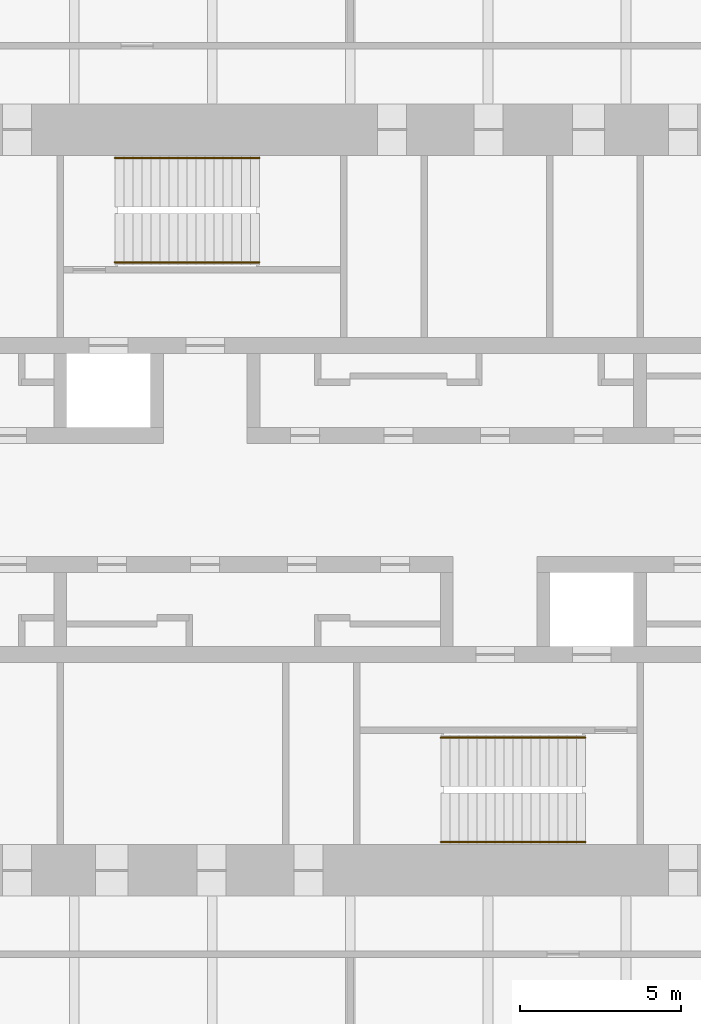
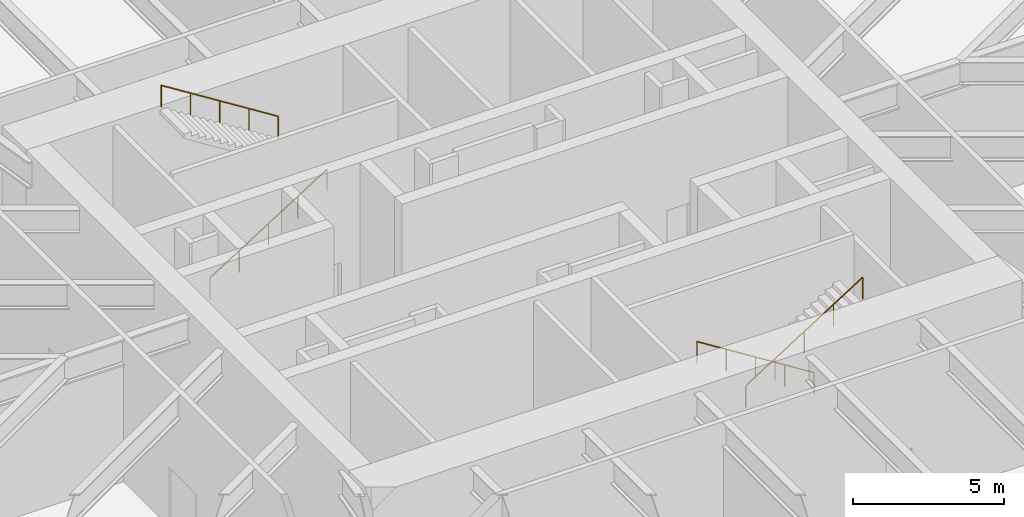
# One storey, part 16 of 16: 4 railings.
"""IFC4 building model written with IfcOpenShell, lengths in metres."""

from ifc_helpers import new_model, si_unit, direction, frame, origin, origin_2d, place, context, subcontext, project, spatial, circle, extrude, material, type_object, element, save


model = new_model("IFC4")

# Units and contexts
model_context = context("Model", 3, precision=1e-05, world=origin(), true_north=direction((0.0, 1.0)))
body_context = subcontext(model_context, "Body", "Model", "MODEL_VIEW")
ifc_project = project(units=[si_unit("LENGTHUNIT", "METRE"), si_unit("AREAUNIT", "SQUARE_METRE"), si_unit("VOLUMEUNIT", "CUBIC_METRE"), si_unit("PLANEANGLEUNIT", "RADIAN"), si_unit("MASSUNIT", "GRAM", prefix="KILO")], contexts=[model_context])

# Site, building, storey
site_placement = place(None, origin())
site = spatial("IfcSite", under=ifc_project, at=site_placement, CompositionType="ELEMENT")
building_placement = place(site_placement, origin())
building = spatial("IfcBuilding", under=site, at=building_placement, Name="Tarfa Lantern Tower", CompositionType="ELEMENT")
storey_placement = place(building_placement, frame((0.0, 0.0, 396.300048828125)))
storey = spatial("IfcBuildingStorey", under=building, at=storey_placement, Name="L90", CompositionType="ELEMENT", Elevation=396.300048828125)

# Railings
ifc_material = material(Name="Stainless steel", Category="steel")
railing_type = type_object("IfcRailingType", Name="HR1 HANDRAIL 900", PredefinedType="HANDRAIL", material=ifc_material)
railing_1_placement = place(storey_placement, frame((-7.300048828125, 7.3798828125, 0.176513671875)))
element("IfcRailing", 1, at=railing_1_placement, inside=storey, type_object=railing_type, Name="Handrail 1", PredefinedType="HANDRAIL", context=body_context, shape_type="SweptSolid", body=[
    extrude(circle(Radius=0.02392578125, at=origin_2d()), frame((0.0, 0.0, 0.8759765625), z_axis=(0.845997938375, 0.0, 0.533186166611), x_axis=(0.0, 1.0, 0.0)), (0.0, 0.0, 1.0), 5.29541015625),
    extrude(circle(Radius=0.02099609375, at=origin_2d()), frame((0.0, 0.0, 0.0), z_axis=(0.0, 0.0, 1.0), x_axis=(0.0, 1.0, 0.0)), (0.0, 0.0, 1.0), 0.851806640625),
    extrude(circle(Radius=0.02099609375, at=origin_2d()), frame((1.1201171875, 0.0, 0.705810546875), z_axis=(0.0, 0.0, 1.0), x_axis=(0.0, 1.0, 0.0)), (0.0, 0.0, 1.0), 0.851806640625),
    extrude(circle(Radius=0.02099609375, at=origin_2d()), frame((2.239990234375, 0.0, 1.41162109375), z_axis=(0.0, 0.0, 1.0), x_axis=(0.0, 1.0, 0.0)), (0.0, 0.0, 1.0), 0.851806640625),
    extrude(circle(Radius=0.02099609375, at=origin_2d()), frame((3.35986328125, 0.0, 2.11767578125), z_axis=(0.0, 0.0, 1.0), x_axis=(0.0, 1.0, 0.0)), (0.0, 0.0, 1.0), 0.851806640625),
    extrude(circle(Radius=0.02099609375, at=origin_2d()), frame((4.47998046875, 0.0, 2.823486328125), z_axis=(0.0, 0.0, 1.0), x_axis=(0.0, 1.0, 0.0)), (0.0, 0.0, 1.0), 0.851806640625),
])
for number, where, name in (
    (2, (-2.820068359375, 10.6201171875, 3.176513671875), "Handrail 2"),
    (3, (7.300048828125, -7.3798828125, 0.176513671875), "Handrail 1"),
):
    element("IfcRailing", number, at=place(storey_placement, frame(where)), inside=storey, type_object=railing_type, Name=name, PredefinedType="HANDRAIL", context=body_context, shape_type="SweptSolid", body=[
        extrude(circle(Radius=0.02392578125, at=origin_2d()), frame((0.0, 0.0, 0.8759765625), z_axis=(-0.845997938375, 0.0, 0.533186166611), x_axis=(0.0, -1.0, 0.0)), (0.0, 0.0, 1.0), 5.29541015625),
        extrude(circle(Radius=0.02099609375, at=origin_2d()), frame((0.0, 0.0, 0.0), z_axis=(0.0, 0.0, 1.0), x_axis=(0.0, -1.0, 0.0)), (0.0, 0.0, 1.0), 0.851806640625),
        extrude(circle(Radius=0.02099609375, at=origin_2d()), frame((-1.1201171875, 0.0, 0.705810546875), z_axis=(0.0, 0.0, 1.0), x_axis=(0.0, -1.0, 0.0)), (0.0, 0.0, 1.0), 0.851806640625),
        extrude(circle(Radius=0.02099609375, at=origin_2d()), frame((-2.239990234375, 0.0, 1.41162109375), z_axis=(0.0, 0.0, 1.0), x_axis=(0.0, -1.0, 0.0)), (0.0, 0.0, 1.0), 0.851806640625),
        extrude(circle(Radius=0.02099609375, at=origin_2d()), frame((-3.35986328125, 0.0, 2.11767578125), z_axis=(0.0, 0.0, 1.0), x_axis=(0.0, -1.0, 0.0)), (0.0, 0.0, 1.0), 0.851806640625),
        extrude(circle(Radius=0.02099609375, at=origin_2d()), frame((-4.47998046875, 0.0, 2.823486328125), z_axis=(0.0, 0.0, 1.0), x_axis=(0.0, -1.0, 0.0)), (0.0, 0.0, 1.0), 0.851806640625),
    ])
railing_2_placement = place(storey_placement, frame((2.820068359375, -10.6201171875, 3.176513671875)))
element("IfcRailing", 4, at=railing_2_placement, inside=storey, type_object=railing_type, Name="Handrail 2", PredefinedType="HANDRAIL", context=body_context, shape_type="SweptSolid", body=[
    extrude(circle(Radius=0.02392578125, at=origin_2d()), frame((0.0, 0.0, 0.8759765625), z_axis=(0.845997938375, 0.0, 0.533186166611), x_axis=(0.0, 1.0, 0.0)), (0.0, 0.0, 1.0), 5.29541015625),
    extrude(circle(Radius=0.02099609375, at=origin_2d()), frame((0.0, 0.0, 0.0), z_axis=(0.0, 0.0, 1.0), x_axis=(0.0, 1.0, 0.0)), (0.0, 0.0, 1.0), 0.851806640625),
    extrude(circle(Radius=0.02099609375, at=origin_2d()), frame((1.1201171875, 0.0, 0.705810546875), z_axis=(0.0, 0.0, 1.0), x_axis=(0.0, 1.0, 0.0)), (0.0, 0.0, 1.0), 0.851806640625),
    extrude(circle(Radius=0.02099609375, at=origin_2d()), frame((2.239990234375, 0.0, 1.41162109375), z_axis=(0.0, 0.0, 1.0), x_axis=(0.0, 1.0, 0.0)), (0.0, 0.0, 1.0), 0.851806640625),
    extrude(circle(Radius=0.02099609375, at=origin_2d()), frame((3.35986328125, 0.0, 2.11767578125), z_axis=(0.0, 0.0, 1.0), x_axis=(0.0, 1.0, 0.0)), (0.0, 0.0, 1.0), 0.851806640625),
    extrude(circle(Radius=0.02099609375, at=origin_2d()), frame((4.47998046875, 0.0, 2.823486328125), z_axis=(0.0, 0.0, 1.0), x_axis=(0.0, 1.0, 0.0)), (0.0, 0.0, 1.0), 0.851806640625),
])

save(model, "model.ifc")
